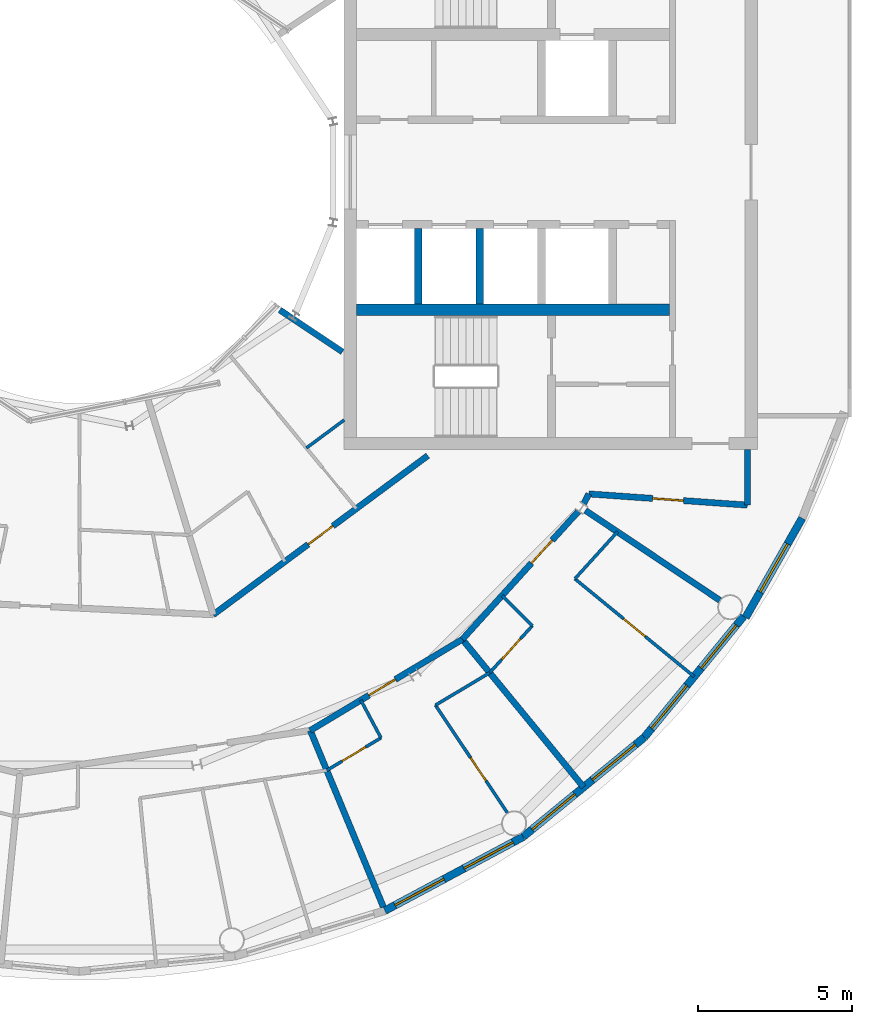
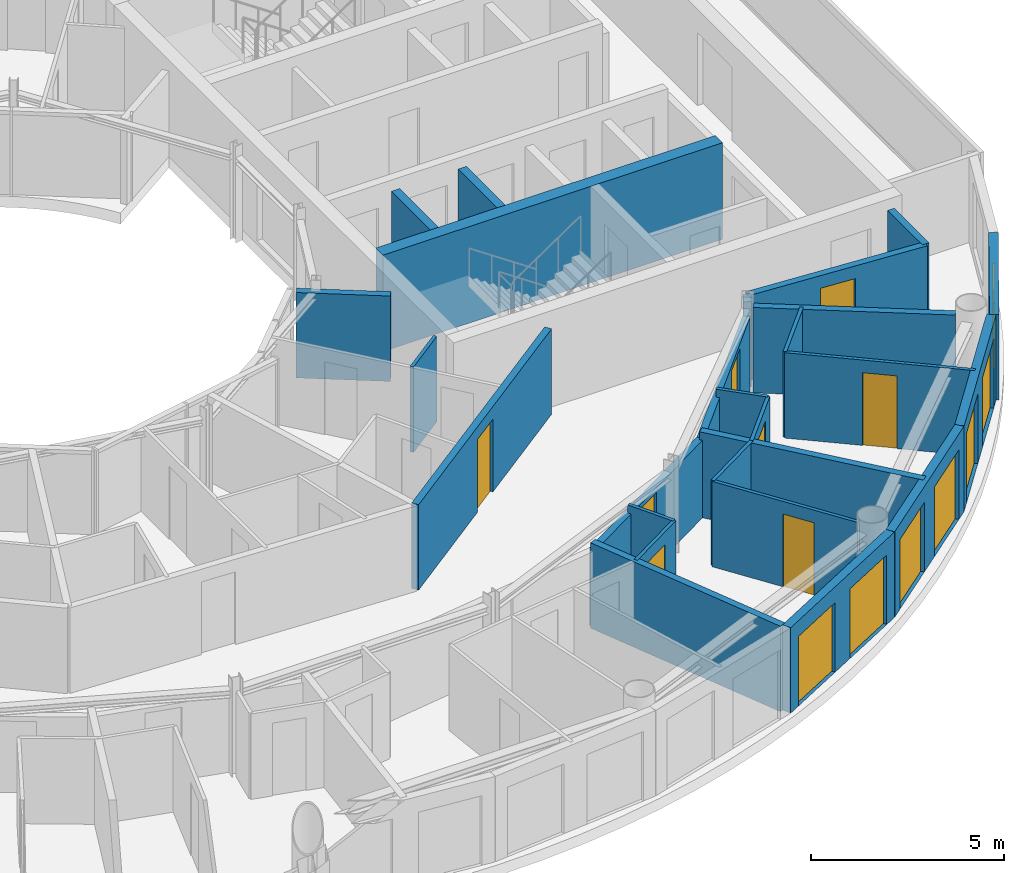
# One storey, part 14 of 22: 26 walls, 14 doors, 1 window, 15 openings.
"""IFC4 building model written with IfcOpenShell, lengths in metres."""

from ifc_helpers import new_model, si_unit, direction, frame, frame_2d, origin, place, context, subcontext, project, spatial, rectangle, extrude, material, layer, layer_set, type_object, element, fill, save


model = new_model("IFC4")

# Units and contexts
model_context = context("Model", 3, precision=1e-05, world=origin(), true_north=direction((0.0, 1.0)))
body_context = subcontext(model_context, "Body", "Model", "MODEL_VIEW")
ifc_project = project(units=[si_unit("LENGTHUNIT", "METRE"), si_unit("AREAUNIT", "SQUARE_METRE"), si_unit("VOLUMEUNIT", "CUBIC_METRE"), si_unit("PLANEANGLEUNIT", "RADIAN"), si_unit("MASSUNIT", "GRAM", prefix="KILO")], contexts=[model_context])

# Site, building, storey
site_placement = place(None, origin())
site = spatial("IfcSite", under=ifc_project, at=site_placement, CompositionType="ELEMENT")
building_placement = place(site_placement, origin())
building = spatial("IfcBuilding", under=site, at=building_placement, Name="Maasbend Ring Residences", CompositionType="ELEMENT")
storey_placement = place(building_placement, frame((0.0, 0.0, 237.10009765625)))
storey = spatial("IfcBuildingStorey", under=building, at=storey_placement, Name="L68", CompositionType="ELEMENT", Elevation=237.10009765625)

# Walls
ifc_material_1 = material(Name="Concrete C50/60", Category="concrete")
ifc_layer_1 = layer(ifc_material_1, 0.375)
ifc_layer_set_1 = layer_set([ifc_layer_1], Name="Concrete C50/60")
wall_type_1 = type_object("IfcWallType", Name="CORE WALL 375 C50/60", PredefinedType="SHEAR", material=ifc_layer_set_1)
wall_1_placement = place(storey_placement, frame((9.0, -4.46240234375, 0.0), z_axis=(0.0, 0.0, 1.0), x_axis=(1.0, 0.0, 0.0)))
element("IfcWall", 1, at=wall_1_placement, inside=storey, type_object=wall_type_1, Name="L68 core E wall BS", PredefinedType="SHEAR", context=body_context, shape_type="SweptSolid", body=[
    extrude(rectangle(XDim=10.14990234375, YDim=0.375, at=frame_2d((5.074951171875, 0.0))), origin(), (0.0, 0.0, 1.0), 3.0498046875),
])
ifc_material_2 = material(Name="Concrete C30/37", Category="concrete")
ifc_layer_2 = layer(ifc_material_2, 0.199951171875)
ifc_layer_set_2 = layer_set([ifc_layer_2], Name="Concrete C30/37")
wall_type_2 = type_object("IfcWallType", Name="CORRIDOR WALL 200 CONCRETE", PredefinedType="PARTITIONING", material=ifc_layer_set_2)
wall_2_placement = place(storey_placement, frame((21.675048828125, -10.800048828125, 0.0), z_axis=(0.0, 0.0, 1.0), x_axis=(0.0, 1.0, 0.0)))
element("IfcWall", 2, at=wall_2_placement, inside=storey, type_object=wall_type_2, Name="U-L68-w001", PredefinedType="PARTITIONING", context=body_context, shape_type="SweptSolid", body=[
    extrude(rectangle(XDim=1.800048828125, YDim=0.199951171875, at=frame_2d((0.89990234375, 0.0))), origin(), (0.0, 0.0, 1.0), 2.699951171875),
])
wall_3_placement = place(storey_placement, frame((16.366943359375, -10.756103515625, 0.0), z_axis=(0.0, 0.0, 1.0), x_axis=(0.465802239822, 0.884888848035, 0.0)))
element("IfcWall", 3, at=wall_3_placement, inside=storey, type_object=wall_type_2, Name="U-L68-w016", PredefinedType="PARTITIONING", context=body_context, shape_type="SweptSolid", body=[
    extrude(rectangle(XDim=0.360595703125, YDim=0.199951171875, at=frame_2d((0.18017578125, 0.0))), origin(), (0.0, 0.0, 1.0), 2.699951171875),
])

# Wall, opening, door
wall_4_placement = place(storey_placement, frame((7.4951171875, -18.111083984375, 0.0), z_axis=(0.0, 0.0, 1.0), x_axis=(0.85773600187, 0.514090411403, 0.0)))
wall_4 = element("IfcWall", 4, at=wall_4_placement, inside=storey, type_object=wall_type_2, Name="U-L68-w020", PredefinedType="PARTITIONING", context=body_context, shape_type="SweptSolid", body=[
    extrude(rectangle(XDim=5.758056640625, YDim=0.199951171875, at=frame_2d((2.87890625, 0.0))), origin(), (0.0, 0.0, 1.0), 2.449951171875),
])
opening_1_placement = place(wall_4_placement, frame((2.22412109375, 0.0, 0.0)))
opening_1 = element("IfcOpeningElement", 5, at=opening_1_placement, cuts=wall_4, Name="Opening D-6847", PredefinedType="OPENING", context=body_context, shape_type="SweptSolid", body=[
    extrude(rectangle(XDim=1.0, YDim=2.300048828125, at=frame_2d((0.5, 1.14990234375))), frame((0.0, 0.10986328125, 0.0), z_axis=(0.0, -1.0, 0.0), x_axis=(1.0, 0.0, 0.0)), (0.0, 0.0, 1.0), 0.219970703125),
])
ifc_material_3 = material(Name="Timber, fire-rated, painted", Category="wood")
door_type_1 = type_object("IfcDoorType", Name="FLAT ENTRANCE DOOR 1000 X 2300 FIRE-RATED", OperationType="NOTDEFINED", PredefinedType="DOOR", material=ifc_material_3)
door_1_placement = place(opening_1_placement, origin())
door_1 = element("IfcDoor", 6, at=door_1_placement, inside=storey, type_object=door_type_1, Name="D-6847", OperationType="SINGLE_SWING_LEFT", OverallHeight=2.300048828125, OverallWidth=1.0, PredefinedType="DOOR", context=body_context, shape_type="SweptSolid", body=[
    extrude(rectangle(XDim=1.0, YDim=2.300048828125, at=frame_2d((0.5, 1.14990234375))), frame((0.0, 0.02490234375, 0.0), z_axis=(0.0, -1.0, 0.0), x_axis=(1.0, 0.0, 0.0)), (0.0, 0.0, 1.0), 0.050048828125),
])
fill(opening_1, door_1)

wall_5_placement = place(storey_placement, frame((12.43408203125, -15.15087890625, 0.0), z_axis=(0.0, 0.0, 1.0), x_axis=(0.671619657805, 0.740896102871, 0.0)))
wall_5 = element("IfcWall", 7, at=wall_5_placement, inside=storey, type_object=wall_type_2, Name="U-L68-w021", PredefinedType="PARTITIONING", context=body_context, shape_type="SweptSolid", body=[
    extrude(rectangle(XDim=5.599853515625, YDim=0.199951171875, at=frame_2d((2.7998046875, 0.0))), origin(), (0.0, 0.0, 1.0), 2.449951171875),
])
opening_2_placement = place(wall_5_placement, frame((3.3349609375, 0.0, 0.0)))
opening_2 = element("IfcOpeningElement", 8, at=opening_2_placement, cuts=wall_5, Name="Opening D-6850", PredefinedType="OPENING", context=body_context, shape_type="SweptSolid", body=[
    extrude(rectangle(XDim=1.0, YDim=2.300048828125, at=frame_2d((0.5, 1.14990234375))), frame((0.0, 0.10986328125, 0.0), z_axis=(0.0, -1.0, 0.0), x_axis=(1.0, 0.0, 0.0)), (0.0, 0.0, 1.0), 0.219970703125),
])
door_2_placement = place(opening_2_placement, origin())
door_2 = element("IfcDoor", 9, at=door_2_placement, inside=storey, type_object=door_type_1, Name="D-6850", OperationType="SINGLE_SWING_RIGHT", OverallHeight=2.300048828125, OverallWidth=1.0, PredefinedType="DOOR", context=body_context, shape_type="SweptSolid", body=[
    extrude(rectangle(XDim=1.0, YDim=2.300048828125, at=frame_2d((0.5, 1.14990234375))), frame((0.0, 0.02490234375, 0.0), z_axis=(0.0, -1.0, 0.0), x_axis=(1.0, 0.0, 0.0)), (0.0, 0.0, 1.0), 0.050048828125),
])
fill(opening_2, door_2)

wall_6_placement = place(storey_placement, frame((4.35400390625, -14.35400390625, 0.0), z_axis=(0.0, 0.0, 1.0), x_axis=(0.80331688802, 0.595551825974, 0.0)))
wall_6 = element("IfcWall", 10, at=wall_6_placement, inside=storey, type_object=wall_type_2, Name="U-L68-w025", PredefinedType="PARTITIONING", context=body_context, shape_type="SweptSolid", body=[
    extrude(rectangle(XDim=8.6591796875, YDim=0.199951171875, at=frame_2d((4.32958984375, 0.0))), origin(), (0.0, 0.0, 1.0), 2.699951171875),
])
opening_3_placement = place(wall_6_placement, frame((3.83203125, 0.0, 0.0)))
opening_3 = element("IfcOpeningElement", 11, at=opening_3_placement, cuts=wall_6, Name="Opening D-6861", PredefinedType="OPENING", context=body_context, shape_type="SweptSolid", body=[
    extrude(rectangle(XDim=1.0, YDim=2.300048828125, at=frame_2d((0.5, 1.14990234375))), frame((0.0, 0.10986328125, 0.0), z_axis=(0.0, -1.0, 0.0), x_axis=(1.0, 0.0, 0.0)), (0.0, 0.0, 1.0), 0.219970703125),
])
door_3_placement = place(opening_3_placement, origin())
door_3 = element("IfcDoor", 12, at=door_3_placement, inside=storey, type_object=door_type_1, Name="D-6861", OperationType="SINGLE_SWING_RIGHT", OverallHeight=2.300048828125, OverallWidth=1.0, PredefinedType="DOOR", context=body_context, shape_type="SweptSolid", body=[
    extrude(rectangle(XDim=1.0, YDim=2.300048828125, at=frame_2d((0.5, 1.14990234375))), frame((0.0, 0.02490234375, 0.0), z_axis=(0.0, -1.0, 0.0), x_axis=(1.0, 0.0, 0.0)), (0.0, 0.0, 1.0), 0.050048828125),
])
fill(opening_3, door_3)

wall_7_placement = place(storey_placement, frame((16.534912109375, -10.43701171875, 0.0), z_axis=(0.0, 0.0, 1.0), x_axis=(0.997515141784, -0.070452408845, 0.0)))
wall_7 = element("IfcWall", 13, at=wall_7_placement, inside=storey, type_object=wall_type_2, Name="U-L68-w033", PredefinedType="PARTITIONING", context=body_context, shape_type="SweptSolid", body=[
    extrude(rectangle(XDim=5.15283203125, YDim=0.199951171875, at=frame_2d((2.576416015625, 0.0))), origin(), (0.0, 0.0, 1.0), 2.699951171875),
])
opening_4_placement = place(wall_7_placement, frame((2.075927734375, 0.0, 0.0)))
opening_4 = element("IfcOpeningElement", 14, at=opening_4_placement, cuts=wall_7, Name="Opening D-6867", PredefinedType="OPENING", context=body_context, shape_type="SweptSolid", body=[
    extrude(rectangle(XDim=1.0, YDim=2.300048828125, at=frame_2d((0.5, 1.14990234375))), frame((0.0, 0.10986328125, 0.0), z_axis=(0.0, -1.0, 0.0), x_axis=(1.0, 0.0, 0.0)), (0.0, 0.0, 1.0), 0.219970703125),
])
ifc_material_4 = material(Name="Timber, painted", Category="wood")
door_type_2 = type_object("IfcDoorType", Name="ROOM DOOR 1000 X 2300", OperationType="NOTDEFINED", PredefinedType="DOOR", material=ifc_material_4)
door_4_placement = place(opening_4_placement, origin())
door_4 = element("IfcDoor", 15, at=door_4_placement, inside=storey, type_object=door_type_2, Name="D-6867", OperationType="SINGLE_SWING_LEFT", OverallHeight=2.300048828125, OverallWidth=1.0, PredefinedType="DOOR", context=body_context, shape_type="SweptSolid", body=[
    extrude(rectangle(XDim=1.0, YDim=2.300048828125, at=frame_2d((0.5, 1.14990234375))), frame((0.0, 0.02490234375, 0.0), z_axis=(0.0, -1.0, 0.0), x_axis=(1.0, 0.0, 0.0)), (0.0, 0.0, 1.0), 0.050048828125),
])
fill(opening_4, door_4)

# Wall, openings, doors
ifc_material_5 = material(Name="Aluminium clad insulated panel", Category="aluminium")
ifc_layer_3 = layer(ifc_material_5, 0.25)
ifc_layer_set_3 = layer_set([ifc_layer_3], Name="EW-GL")
wall_type_3 = type_object("IfcWallType", Name="EW-GL", PredefinedType="SOLIDWALL", material=ifc_layer_set_3)
wall_8_placement = place(storey_placement, frame((9.9208984375, -23.951904296875, 0.0), z_axis=(0.0, 0.0, 1.0), x_axis=(0.881903089468, 0.47143073806, 0.0)))
wall_8 = element("IfcWall", 16, at=wall_8_placement, inside=storey, type_object=wall_type_3, Name="External wall S08", PredefinedType="SOLIDWALL", context=body_context, shape_type="SweptSolid", body=[
    extrude(rectangle(XDim=5.082275390625, YDim=0.25, at=frame_2d((2.541015625, 0.0))), origin(), (0.0, 0.0, 1.0), 2.699951171875),
])
opening_5_placement = place(wall_8_placement, frame((0.37353515625, 0.0, 0.0)))
opening_5 = element("IfcOpeningElement", 17, at=opening_5_placement, cuts=wall_8, Name="Opening D-TR", PredefinedType="OPENING", context=body_context, shape_type="SweptSolid", body=[
    extrude(rectangle(XDim=1.800048828125, YDim=2.199951171875, at=frame_2d((0.89990234375, 1.10009765625))), frame((0.0, 0.135009765625, 0.0), z_axis=(0.0, -1.0, 0.0), x_axis=(1.0, 0.0, 0.0)), (0.0, 0.0, 1.0), 0.27001953125),
])
opening_6_placement = place(wall_8_placement, frame((2.90869140625, 0.0, 0.0)))
opening_6 = element("IfcOpeningElement", 18, at=opening_6_placement, cuts=wall_8, Name="Opening D-TR", PredefinedType="OPENING", context=body_context, shape_type="SweptSolid", body=[
    extrude(rectangle(XDim=1.800048828125, YDim=2.199951171875, at=frame_2d((0.89990234375, 1.10009765625))), frame((0.0, 0.135009765625, 0.0), z_axis=(0.0, -1.0, 0.0), x_axis=(1.0, 0.0, 0.0)), (0.0, 0.0, 1.0), 0.27001953125),
])
ifc_material_6 = material(Name="Aluminium and clear glass", Category="aluminium")
door_type_3 = type_object("IfcDoorType", Name="D-TR", OperationType="DOUBLE_DOOR_SINGLE_SWING", PredefinedType="DOOR", material=ifc_material_6)
door_5_placement = place(opening_5_placement, origin())
door_5 = element("IfcDoor", 19, at=door_5_placement, inside=storey, type_object=door_type_3, Name="Terrace door S15", OperationType="SINGLE_SWING_LEFT", OverallHeight=2.199951171875, OverallWidth=1.800048828125, PredefinedType="DOOR", context=body_context, shape_type="SweptSolid", body=[
    extrude(rectangle(XDim=1.800048828125, YDim=2.199951171875, at=frame_2d((0.89990234375, 1.10009765625))), frame((0.0, 0.02490234375, 0.0), z_axis=(0.0, -1.0, 0.0), x_axis=(1.0, 0.0, 0.0)), (0.0, 0.0, 1.0), 0.050048828125),
])
fill(opening_5, door_5)
door_6_placement = place(opening_6_placement, origin())
door_6 = element("IfcDoor", 20, at=door_6_placement, inside=storey, type_object=door_type_3, Name="Terrace door S16", OperationType="SINGLE_SWING_LEFT", OverallHeight=2.199951171875, OverallWidth=1.800048828125, PredefinedType="DOOR", context=body_context, shape_type="SweptSolid", body=[
    extrude(rectangle(XDim=1.800048828125, YDim=2.199951171875, at=frame_2d((0.89990234375, 1.10009765625))), frame((0.0, 0.02490234375, 0.0), z_axis=(0.0, -1.0, 0.0), x_axis=(1.0, 0.0, 0.0)), (0.0, 0.0, 1.0), 0.050048828125),
])
fill(opening_6, door_6)

wall_9_placement = place(storey_placement, frame((14.403076171875, -21.555908203125, 0.0), z_axis=(0.0, 0.0, 1.0), x_axis=(0.77306189429, 0.63433059803, 0.0)))
wall_9 = element("IfcWall", 21, at=wall_9_placement, inside=storey, type_object=wall_type_3, Name="External wall S09", PredefinedType="SOLIDWALL", context=body_context, shape_type="SweptSolid", body=[
    extrude(rectangle(XDim=5.082275390625, YDim=0.25, at=frame_2d((2.541015625, 0.0))), origin(), (0.0, 0.0, 1.0), 2.699951171875),
])
opening_7_placement = place(wall_9_placement, frame((0.37353515625, 0.0, 0.0)))
opening_7 = element("IfcOpeningElement", 22, at=opening_7_placement, cuts=wall_9, Name="Opening D-TR", PredefinedType="OPENING", context=body_context, shape_type="SweptSolid", body=[
    extrude(rectangle(XDim=1.800048828125, YDim=2.199951171875, at=frame_2d((0.89990234375, 1.10009765625))), frame((0.0, 0.135009765625, 0.0), z_axis=(0.0, -1.0, 0.0), x_axis=(1.0, 0.0, 0.0)), (0.0, 0.0, 1.0), 0.27001953125),
])
opening_8_placement = place(wall_9_placement, frame((2.90869140625, 0.0, 0.0)))
opening_8 = element("IfcOpeningElement", 23, at=opening_8_placement, cuts=wall_9, Name="Opening D-TR", PredefinedType="OPENING", context=body_context, shape_type="SweptSolid", body=[
    extrude(rectangle(XDim=1.800048828125, YDim=2.199951171875, at=frame_2d((0.89990234375, 1.10009765625))), frame((0.0, 0.135009765625, 0.0), z_axis=(0.0, -1.0, 0.0), x_axis=(1.0, 0.0, 0.0)), (0.0, 0.0, 1.0), 0.27001953125),
])
door_7_placement = place(opening_7_placement, origin())
door_7 = element("IfcDoor", 24, at=door_7_placement, inside=storey, type_object=door_type_3, Name="Terrace door S17", OperationType="SINGLE_SWING_LEFT", OverallHeight=2.199951171875, OverallWidth=1.800048828125, PredefinedType="DOOR", context=body_context, shape_type="SweptSolid", body=[
    extrude(rectangle(XDim=1.800048828125, YDim=2.199951171875, at=frame_2d((0.89990234375, 1.10009765625))), frame((0.0, 0.02490234375, 0.0), z_axis=(0.0, -1.0, 0.0), x_axis=(1.0, 0.0, 0.0)), (0.0, 0.0, 1.0), 0.050048828125),
])
fill(opening_7, door_7)
door_8_placement = place(opening_8_placement, origin())
door_8 = element("IfcDoor", 25, at=door_8_placement, inside=storey, type_object=door_type_3, Name="Terrace door S18", OperationType="SINGLE_SWING_LEFT", OverallHeight=2.199951171875, OverallWidth=1.800048828125, PredefinedType="DOOR", context=body_context, shape_type="SweptSolid", body=[
    extrude(rectangle(XDim=1.800048828125, YDim=2.199951171875, at=frame_2d((0.89990234375, 1.10009765625))), frame((0.0, 0.02490234375, 0.0), z_axis=(0.0, -1.0, 0.0), x_axis=(1.0, 0.0, 0.0)), (0.0, 0.0, 1.0), 0.050048828125),
])
fill(opening_8, door_8)

wall_10_placement = place(storey_placement, frame((18.33203125, -18.33203125, 0.0), z_axis=(0.0, 0.0, 1.0), x_axis=(0.63433059803, 0.77306189429, 0.0)))
wall_10 = element("IfcWall", 26, at=wall_10_placement, inside=storey, type_object=wall_type_3, Name="External wall S10", PredefinedType="SOLIDWALL", context=body_context, shape_type="SweptSolid", body=[
    extrude(rectangle(XDim=5.082275390625, YDim=0.25, at=frame_2d((2.541015625, 0.0))), origin(), (0.0, 0.0, 1.0), 2.699951171875),
])
opening_9_placement = place(wall_10_placement, frame((0.37353515625, 0.0, 0.0)))
opening_9 = element("IfcOpeningElement", 27, at=opening_9_placement, cuts=wall_10, Name="Opening D-TR", PredefinedType="OPENING", context=body_context, shape_type="SweptSolid", body=[
    extrude(rectangle(XDim=1.800048828125, YDim=2.199951171875, at=frame_2d((0.89990234375, 1.10009765625))), frame((0.0, 0.135009765625, 0.0), z_axis=(0.0, -1.0, 0.0), x_axis=(1.0, 0.0, 0.0)), (0.0, 0.0, 1.0), 0.27001953125),
])
opening_10_placement = place(wall_10_placement, frame((2.90869140625, 0.0, 0.0)))
opening_10 = element("IfcOpeningElement", 28, at=opening_10_placement, cuts=wall_10, Name="Opening D-TR", PredefinedType="OPENING", context=body_context, shape_type="SweptSolid", body=[
    extrude(rectangle(XDim=1.800048828125, YDim=2.199951171875, at=frame_2d((0.89990234375, 1.10009765625))), frame((0.0, 0.135009765625, 0.0), z_axis=(0.0, -1.0, 0.0), x_axis=(1.0, 0.0, 0.0)), (0.0, 0.0, 1.0), 0.27001953125),
])
door_9_placement = place(opening_9_placement, origin())
door_9 = element("IfcDoor", 29, at=door_9_placement, inside=storey, type_object=door_type_3, Name="Terrace door S19", OperationType="SINGLE_SWING_LEFT", OverallHeight=2.199951171875, OverallWidth=1.800048828125, PredefinedType="DOOR", context=body_context, shape_type="SweptSolid", body=[
    extrude(rectangle(XDim=1.800048828125, YDim=2.199951171875, at=frame_2d((0.89990234375, 1.10009765625))), frame((0.0, 0.02490234375, 0.0), z_axis=(0.0, -1.0, 0.0), x_axis=(1.0, 0.0, 0.0)), (0.0, 0.0, 1.0), 0.050048828125),
])
fill(opening_9, door_9)
door_10_placement = place(opening_10_placement, origin())
door_10 = element("IfcDoor", 30, at=door_10_placement, inside=storey, type_object=door_type_3, Name="Terrace door S20", OperationType="SINGLE_SWING_LEFT", OverallHeight=2.199951171875, OverallWidth=1.800048828125, PredefinedType="DOOR", context=body_context, shape_type="SweptSolid", body=[
    extrude(rectangle(XDim=1.800048828125, YDim=2.199951171875, at=frame_2d((0.89990234375, 1.10009765625))), frame((0.0, 0.02490234375, 0.0), z_axis=(0.0, -1.0, 0.0), x_axis=(1.0, 0.0, 0.0)), (0.0, 0.0, 1.0), 0.050048828125),
])
fill(opening_10, door_10)

# Wall, opening, window
ifc_material_7 = material(Name="Aluminium clad insulated panel", Category="aluminium")
ifc_layer_4 = layer(ifc_material_7, 0.25)
ifc_layer_set_4 = layer_set([ifc_layer_4], Name="EW-HORN")
wall_type_4 = type_object("IfcWallType", Name="EW-HORN", PredefinedType="SOLIDWALL", material=ifc_layer_set_4)
wall_11_placement = place(storey_placement, frame((21.617919921875, -14.445068359375, 0.0), z_axis=(0.0, 0.0, 1.0), x_axis=(0.495031435966, 0.868875064325, 0.0)))
wall_11 = element("IfcWall", 31, at=wall_11_placement, inside=storey, type_object=wall_type_4, Name="Horn wall 2.1", PredefinedType="SOLIDWALL", context=body_context, shape_type="SweptSolid", body=[
    extrude(rectangle(XDim=3.704833984375, YDim=0.25, at=frame_2d((1.8525390625, 0.0))), origin(), (0.0, 0.0, 1.0), 2.699951171875),
])
opening_11_placement = place(wall_11_placement, frame((0.952392578125, 0.0, 0.300048828125)))
opening_11 = element("IfcOpeningElement", 32, at=opening_11_placement, cuts=wall_11, Name="Opening W-BX", PredefinedType="OPENING", context=body_context, shape_type="SweptSolid", body=[
    extrude(rectangle(XDim=1.800048828125, YDim=2.10009765625, at=frame_2d((0.89990234375, 1.050048828125))), frame((0.0, 0.135009765625, 0.0), z_axis=(0.0, -1.0, 0.0), x_axis=(1.0, 0.0, 0.0)), (0.0, 0.0, 1.0), 0.27001953125),
])
ifc_material_8 = material(Name="Aluminium and clear glass", Category="aluminium")
window_type = type_object("IfcWindowType", Name="W-BX", PartitioningType="DOUBLE_PANEL_VERTICAL", PredefinedType="WINDOW", material=ifc_material_8)
window_placement = place(opening_11_placement, origin())
window = element("IfcWindow", 33, at=window_placement, inside=storey, type_object=window_type, Name="Horn window 2.1", OverallHeight=2.10009765625, OverallWidth=1.800048828125, PartitioningType="SINGLE_PANEL", PredefinedType="WINDOW", context=body_context, shape_type="SweptSolid", body=[
    extrude(rectangle(XDim=1.800048828125, YDim=2.10009765625, at=frame_2d((0.89990234375, 1.050048828125))), frame((0.0, 0.030029296875, 0.0), z_axis=(0.0, -1.0, 0.0), x_axis=(1.0, 0.0, 0.0)), (0.0, 0.0, 1.0), 0.06005859375),
])
fill(opening_11, window)

# Wall, opening, door
ifc_material_9 = material(Name="Gypsum board on steel studs", Category="steel")
ifc_layer_5 = layer(ifc_material_9, 0.10009765625)
ifc_layer_set_5 = layer_set([ifc_layer_5], Name="PARTITION 100 GYPSUM")
wall_type_5 = type_object("IfcWallType", Name="PARTITION 100 GYPSUM", PredefinedType="PARTITIONING", material=ifc_layer_set_5)
wall_12_placement = place(storey_placement, frame((8.035888671875, -19.40087890625, 0.0), z_axis=(0.0, 0.0, 1.0), x_axis=(0.857796869978, 0.513988842152, 0.0)))
wall_12 = element("IfcWall", 34, at=wall_12_placement, inside=storey, type_object=wall_type_5, Name="U-L68-w009", PredefinedType="PARTITIONING", context=body_context, shape_type="SweptSolid", body=[
    extrude(rectangle(XDim=2.054443359375, YDim=0.10009765625, at=frame_2d((1.02734375, 0.0))), origin(), (0.0, 0.0, 1.0), 2.699951171875),
])
opening_12_placement = place(wall_12_placement, frame((0.576904296875, 0.0, 0.0)))
opening_12 = element("IfcOpeningElement", 35, at=opening_12_placement, cuts=wall_12, Name="Opening D-6848", PredefinedType="OPENING", context=body_context, shape_type="SweptSolid", body=[
    extrude(rectangle(XDim=0.89990234375, YDim=2.300048828125, at=frame_2d((0.449951171875, 1.14990234375))), frame((0.0, 0.06005859375, 0.0), z_axis=(0.0, -1.0, 0.0), x_axis=(1.0, 0.0, 0.0)), (0.0, 0.0, 1.0), 0.1201171875),
])
ifc_material_10 = material(Name="Timber, painted", Category="wood")
door_type_4 = type_object("IfcDoorType", Name="INTERNAL DOOR 900 X 2300", OperationType="NOTDEFINED", PredefinedType="DOOR", material=ifc_material_10)
door_11_placement = place(opening_12_placement, origin())
door_11 = element("IfcDoor", 36, at=door_11_placement, inside=storey, type_object=door_type_4, Name="D-6848", OperationType="SINGLE_SWING_LEFT", OverallHeight=2.300048828125, OverallWidth=0.89990234375, PredefinedType="DOOR", context=body_context, shape_type="SweptSolid", body=[
    extrude(rectangle(XDim=0.89990234375, YDim=2.300048828125, at=frame_2d((0.449951171875, 1.14990234375))), frame((0.0, 0.02490234375, 0.0), z_axis=(0.0, -1.0, 0.0), x_axis=(1.0, 0.0, 0.0)), (0.0, 0.0, 1.0), 0.050048828125),
])
fill(opening_12, door_11)

# Wall
wall_13_placement = place(storey_placement, frame((11.56005859375, -17.2890625, 0.0), z_axis=(0.0, 0.0, 1.0), x_axis=(0.857713062192, 0.514128683254, 0.0)))
element("IfcWall", 37, at=wall_13_placement, inside=storey, type_object=wall_type_5, Name="U-L68-w010", PredefinedType="PARTITIONING", context=body_context, shape_type="SweptSolid", body=[
    extrude(rectangle(XDim=2.05419921875, YDim=0.10009765625, at=frame_2d((1.027099609375, 0.0))), origin(), (0.0, 0.0, 1.0), 2.699951171875),
])

# Wall, opening, door
wall_14_placement = place(storey_placement, frame((13.322021484375, -16.23291015625, 0.0), z_axis=(0.0, 0.0, 1.0), x_axis=(0.671678456097, 0.74084279818, 0.0)))
wall_14 = element("IfcWall", 38, at=wall_14_placement, inside=storey, type_object=wall_type_5, Name="U-L68-w011", PredefinedType="PARTITIONING", context=body_context, shape_type="SweptSolid", body=[
    extrude(rectangle(XDim=2.054443359375, YDim=0.10009765625, at=frame_2d((1.02734375, 0.0))), origin(), (0.0, 0.0, 1.0), 2.699951171875),
])
opening_13_placement = place(wall_14_placement, frame((0.576904296875, 0.0, 0.0)))
opening_13 = element("IfcOpeningElement", 39, at=opening_13_placement, cuts=wall_14, Name="Opening D-6851", PredefinedType="OPENING", context=body_context, shape_type="SweptSolid", body=[
    extrude(rectangle(XDim=0.89990234375, YDim=2.300048828125, at=frame_2d((0.449951171875, 1.14990234375))), frame((0.0, 0.06005859375, 0.0), z_axis=(0.0, -1.0, 0.0), x_axis=(1.0, 0.0, 0.0)), (0.0, 0.0, 1.0), 0.1201171875),
])
door_12_placement = place(opening_13_placement, origin())
door_12 = element("IfcDoor", 40, at=door_12_placement, inside=storey, type_object=door_type_4, Name="D-6851", OperationType="SINGLE_SWING_LEFT", OverallHeight=2.300048828125, OverallWidth=0.89990234375, PredefinedType="DOOR", context=body_context, shape_type="SweptSolid", body=[
    extrude(rectangle(XDim=0.89990234375, YDim=2.300048828125, at=frame_2d((0.449951171875, 1.14990234375))), frame((0.0, 0.02490234375, 0.0), z_axis=(0.0, -1.0, 0.0), x_axis=(1.0, 0.0, 0.0)), (0.0, 0.0, 1.0), 0.050048828125),
])
fill(opening_13, door_12)

# Walls
wall_15_placement = place(storey_placement, frame((16.08203125, -13.18896484375, 0.0), z_axis=(0.0, 0.0, 1.0), x_axis=(0.671678456097, 0.74084279818, 0.0)))
element("IfcWall", 41, at=wall_15_placement, inside=storey, type_object=wall_type_5, Name="U-L68-w012", PredefinedType="PARTITIONING", context=body_context, shape_type="SweptSolid", body=[
    extrude(rectangle(XDim=2.054443359375, YDim=0.10009765625, at=frame_2d((1.02734375, 0.0))), origin(), (0.0, 0.0, 1.0), 2.699951171875),
])
wall_16_placement = place(storey_placement, frame((7.3759765625, -8.947998046875, 0.0), z_axis=(0.0, 0.0, 1.0), x_axis=(0.80332760487, 0.595537370157, 0.0)))
element("IfcWall", 42, at=wall_16_placement, inside=storey, type_object=wall_type_5, Name="U-L68-w031", PredefinedType="PARTITIONING", context=body_context, shape_type="SweptSolid", body=[
    extrude(rectangle(XDim=1.526123046875, YDim=0.10009765625, at=frame_2d((0.76318359375, 0.0))), origin(), (0.0, 0.0, 1.0), 2.699951171875),
])
wall_17_placement = place(storey_placement, frame((9.139892578125, -17.1240234375, 0.0), z_axis=(0.0, 0.0, 1.0), x_axis=(0.471072596947, -0.882094444153, 0.0)))
element("IfcWall", 43, at=wall_17_placement, inside=storey, type_object=wall_type_5, Name="U-L68-w084", PredefinedType="PARTITIONING", context=body_context, shape_type="SweptSolid", body=[
    extrude(rectangle(XDim=1.386474609375, YDim=0.10009765625, at=frame_2d((0.693359375, 0.0))), origin(), (0.0, 0.0, 1.0), 2.699951171875),
])

# Wall, opening, door
wall_18_placement = place(storey_placement, frame((11.56005859375, -17.2890625, 0.0), z_axis=(0.0, 0.0, 1.0), x_axis=(0.555959489687, -0.831209387475, 0.0)))
wall_18 = element("IfcWall", 44, at=wall_18_placement, inside=storey, type_object=wall_type_5, Name="U-L68-w086", PredefinedType="PARTITIONING", context=body_context, shape_type="SweptSolid", body=[
    extrude(rectangle(XDim=4.203369140625, YDim=0.10009765625, at=frame_2d((2.1015625, 0.0))), origin(), (0.0, 0.0, 1.0), 2.699951171875),
])
opening_14_placement = place(wall_18_placement, frame((2.051025390625, 0.0, 0.0)))
opening_14 = element("IfcOpeningElement", 45, at=opening_14_placement, cuts=wall_18, Name="Opening D-6849", PredefinedType="OPENING", context=body_context, shape_type="SweptSolid", body=[
    extrude(rectangle(XDim=0.89990234375, YDim=2.300048828125, at=frame_2d((0.449951171875, 1.14990234375))), frame((0.0, 0.06005859375, 0.0), z_axis=(0.0, -1.0, 0.0), x_axis=(1.0, 0.0, 0.0)), (0.0, 0.0, 1.0), 0.1201171875),
])
door_13_placement = place(opening_14_placement, origin())
door_13 = element("IfcDoor", 46, at=door_13_placement, inside=storey, type_object=door_type_4, Name="D-6849", OperationType="SINGLE_SWING_RIGHT", OverallHeight=2.300048828125, OverallWidth=0.89990234375, PredefinedType="DOOR", context=body_context, shape_type="SweptSolid", body=[
    extrude(rectangle(XDim=0.89990234375, YDim=2.300048828125, at=frame_2d((0.449951171875, 1.14990234375))), frame((0.0, 0.02490234375, 0.0), z_axis=(0.0, -1.0, 0.0), x_axis=(1.0, 0.0, 0.0)), (0.0, 0.0, 1.0), 0.050048828125),
])
fill(opening_14, door_13)

# Wall
wall_19_placement = place(storey_placement, frame((13.721923828125, -13.72998046875, 0.0), z_axis=(0.0, 0.0, 1.0), x_axis=(0.707458838269, -0.706754548733, 0.0)))
element("IfcWall", 47, at=wall_19_placement, inside=storey, type_object=wall_type_5, Name="U-L68-w090", PredefinedType="PARTITIONING", context=body_context, shape_type="SweptSolid", body=[
    extrude(rectangle(XDim=1.386474609375, YDim=0.10009765625, at=frame_2d((0.693359375, 0.0))), origin(), (0.0, 0.0, 1.0), 2.699951171875),
])

# Wall, opening, door
wall_20_placement = place(storey_placement, frame((16.0810546875, -13.18896484375, 0.0), z_axis=(0.0, 0.0, 1.0), x_axis=(0.773226150619, -0.634130365145, 0.0)))
wall_20 = element("IfcWall", 48, at=wall_20_placement, inside=storey, type_object=wall_type_5, Name="U-L68-w093", PredefinedType="PARTITIONING", context=body_context, shape_type="SweptSolid", body=[
    extrude(rectangle(XDim=5.002197265625, YDim=0.10009765625, at=frame_2d((2.5009765625, 0.0))), origin(), (0.0, 0.0, 1.0), 2.699951171875),
])
opening_15_placement = place(wall_20_placement, frame((2.051025390625, 0.0, 0.0)))
opening_15 = element("IfcOpeningElement", 49, at=opening_15_placement, cuts=wall_20, Name="Opening D-6852", PredefinedType="OPENING", context=body_context, shape_type="SweptSolid", body=[
    extrude(rectangle(XDim=0.89990234375, YDim=2.300048828125, at=frame_2d((0.449951171875, 1.14990234375))), frame((0.0, 0.06005859375, 0.0), z_axis=(0.0, -1.0, 0.0), x_axis=(1.0, 0.0, 0.0)), (0.0, 0.0, 1.0), 0.1201171875),
])
door_14_placement = place(opening_15_placement, origin())
door_14 = element("IfcDoor", 50, at=door_14_placement, inside=storey, type_object=door_type_4, Name="D-6852", OperationType="SINGLE_SWING_LEFT", OverallHeight=2.300048828125, OverallWidth=0.89990234375, PredefinedType="DOOR", context=body_context, shape_type="SweptSolid", body=[
    extrude(rectangle(XDim=0.89990234375, YDim=2.300048828125, at=frame_2d((0.449951171875, 1.14990234375))), frame((0.0, 0.02490234375, 0.0), z_axis=(0.0, -1.0, 0.0), x_axis=(1.0, 0.0, 0.0)), (0.0, 0.0, 1.0), 0.050048828125),
])
fill(opening_15, door_14)

# Walls
ifc_material_11 = material(Name="Concrete C30/37", Category="concrete")
ifc_layer_6 = layer(ifc_material_11, 0.199951171875)
ifc_layer_set_6 = layer_set([ifc_layer_6], Name="Concrete C30/37")
wall_type_6 = type_object("IfcWallType", Name="PARTY WALL 200 CONCRETE", PredefinedType="PARTITIONING", material=ifc_layer_set_6)
wall_21_placement = place(storey_placement, frame((6.512939453125, -4.471923828125, 0.0), z_axis=(0.0, 0.0, 1.0), x_axis=(0.831450132577, -0.555599385382, 0.0)))
element("IfcWall", 51, at=wall_21_placement, inside=storey, type_object=wall_type_6, Name="U-L68-w035", PredefinedType="PARTITIONING", context=body_context, shape_type="SweptSolid", body=[
    extrude(rectangle(XDim=2.442626953125, YDim=0.199951171875, at=frame_2d((1.22119140625, 0.0))), origin(), (0.0, 0.0, 1.0), 2.699951171875),
])
wall_22_placement = place(storey_placement, frame((7.5009765625, -18.10791015625, 0.0), z_axis=(0.0, 0.0, 1.0), x_axis=(0.382606842458, -0.92391125337, 0.0)))
element("IfcWall", 52, at=wall_22_placement, inside=storey, type_object=wall_type_6, Name="U-L68-w083", PredefinedType="PARTITIONING", context=body_context, shape_type="SweptSolid", body=[
    extrude(rectangle(XDim=6.19970703125, YDim=0.199951171875, at=frame_2d((3.099853515625, 0.0))), origin(), (0.0, 0.0, 1.0), 2.699951171875),
])
wall_23_placement = place(storey_placement, frame((12.431884765625, -15.153076171875, 0.0), z_axis=(0.0, 0.0, 1.0), x_axis=(0.634356436091, -0.773040692324, 0.0)))
element("IfcWall", 53, at=wall_23_placement, inside=storey, type_object=wall_type_6, Name="U-L68-w088", PredefinedType="PARTITIONING", context=body_context, shape_type="SweptSolid", body=[
    extrude(rectangle(XDim=6.2001953125, YDim=0.199951171875, at=frame_2d((3.10009765625, 0.0))), origin(), (0.0, 0.0, 1.0), 2.699951171875),
])
wall_24_placement = place(storey_placement, frame((16.422119140625, -10.971923828125, 0.0), z_axis=(0.0, 0.0, 1.0), x_axis=(0.831406006746, -0.555665413668, 0.0)))
element("IfcWall", 54, at=wall_24_placement, inside=storey, type_object=wall_type_6, Name="U-L68-w094", PredefinedType="PARTITIONING", context=body_context, shape_type="SweptSolid", body=[
    extrude(rectangle(XDim=5.251220703125, YDim=0.199951171875, at=frame_2d((2.62548828125, 0.0))), origin(), (0.0, 0.0, 1.0), 2.699951171875),
])
ifc_material_12 = material(Name="Concrete C30/37", Category="concrete")
ifc_layer_7 = layer(ifc_material_12, 0.25)
ifc_layer_set_7 = layer_set([ifc_layer_7], Name="Concrete C30/37")
wall_type_7 = type_object("IfcWallType", Name="SHAFT WALL 250 EI 120", PredefinedType="SOLIDWALL", material=ifc_layer_set_7)
for number, where, z_axis, x_axis, name in (
    (55, (11.0, -1.824951171875, 0.0), (0.0, 0.0, 1.0), (0.0, -1.0, 0.0), "L68 core E wall D110S"),
    (56, (13.0, -1.824951171875, 0.0), (0.0, 0.0, 1.0), (0.0, -1.0, 0.0), "L68 core E wall D130S"),
):
    element("IfcWall", number, at=place(storey_placement, frame(where, z_axis=z_axis, x_axis=x_axis)), inside=storey, type_object=wall_type_7, Name=name, PredefinedType="SOLIDWALL", context=body_context, shape_type="SweptSolid", body=[
        extrude(rectangle(XDim=2.449951171875, YDim=0.25, at=frame_2d((1.22509765625, 0.0))), origin(), (0.0, 0.0, 1.0), 2.699951171875),
    ])

save(model, "model.ifc")
